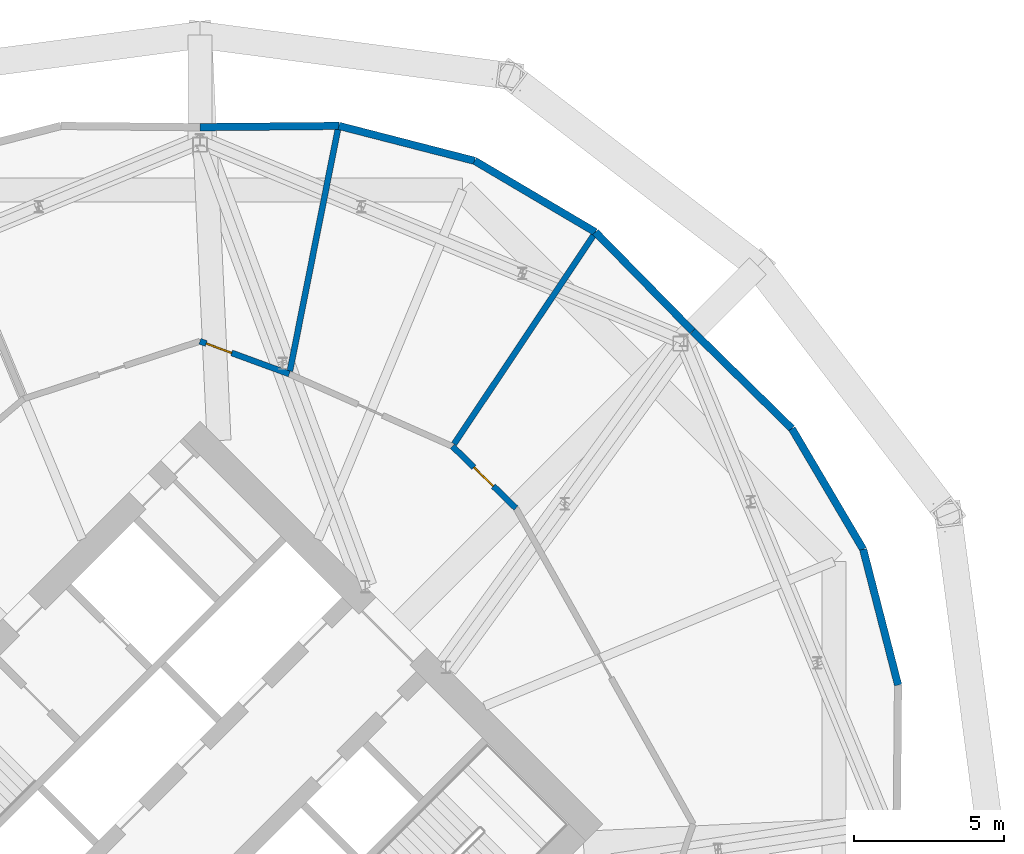
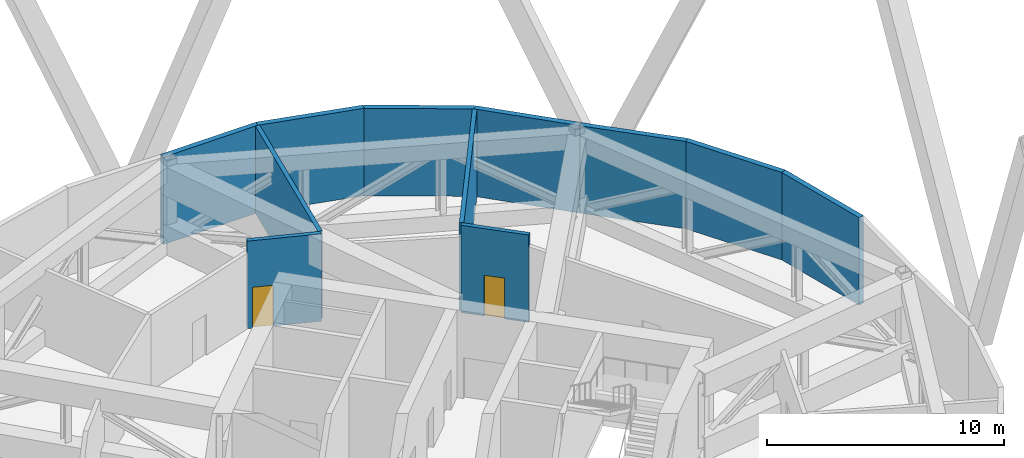
# One storey, part 19 of 21: 11 walls, 2 doors, 2 openings.
"""IFC4 building model written with IfcOpenShell, lengths in metres."""

import ifcopenshell
import ifcopenshell.guid

model = None  # the IFC model being written
_history = None  # IfcOwnerHistory: only IFC2X3 demands one
_inside = {}  # id of a spatial element -> (the spatial element, [elements in it])
_under = {}  # id of a project, library or spatial element -> (it, [spatial elements below it])
_declared = {}  # id of a project -> (the project, [libraries it declares])
_typed = {}  # id of a type object -> (the type object, [elements of that type])
_made_of = {}  # id of a material, layer set ... -> (it, [elements and type objects made of it])


def new_model(schema):
    """Start an empty IFC model of exactly this schema.

    Asked for "IFC4X3", IfcOpenShell would pick the latest addendum, in which some entities
    have other attributes; the version numbers below select the first issue.
    IFC2X3 requires an IfcOwnerHistory on every rooted entity: one is made here for all.
    """
    global model, _history
    if schema == "IFC4X3":
        model = ifcopenshell.file(schema_version=(4, 3, 0, 0))
    else:
        model = ifcopenshell.file(schema=schema)
    _inside.clear()
    _under.clear()
    _declared.clear()
    _typed.clear()
    _made_of.clear()
    _history = None
    if model.schema == "IFC2X3":
        org = make("IfcOrganization", Name="unknown")
        user = make(
            "IfcPersonAndOrganization",
            ThePerson=make("IfcPerson", FamilyName="unknown"),
            TheOrganization=org,
        )
        app = make(
            "IfcApplication",
            ApplicationDeveloper=org,
            Version="unknown",
            ApplicationFullName="unknown",
            ApplicationIdentifier="unknown",
        )
        _history = make(
            "IfcOwnerHistory",
            OwningUser=user,
            OwningApplication=app,
            ChangeAction="ADDED",
            CreationDate=0,
        )
    return model


def make(cls, **values):
    """One entity of the class cls with the attributes given. An attribute that is None is left unset."""
    return model.create_entity(
        cls, **{name: value for name, value in values.items() if value is not None}
    )


def rooted(cls, **values):
    """An entity with a GlobalId (a new one), such as an element, a storey or a relation."""
    return make(cls, GlobalId=ifcopenshell.guid.new(), OwnerHistory=_history, **values)


def si_unit(unit_type, name, prefix=None):
    """IfcSIUnit, for example si_unit("LENGTHUNIT", "METRE", prefix="MILLI")."""
    return make("IfcSIUnit", UnitType=unit_type, Prefix=prefix, Name=name)


def assignment(units):
    """IfcUnitAssignment: the units of a project."""
    return None if units is None else make("IfcUnitAssignment", Units=units)


def point(xyz):
    """IfcCartesianPoint."""
    return None if xyz is None else make("IfcCartesianPoint", Coordinates=xyz)


def direction(xyz):
    """IfcDirection."""
    return None if xyz is None else make("IfcDirection", DirectionRatios=xyz)


def frame(location, z_axis=None, x_axis=None):
    """IfcAxis2Placement3D, a coordinate frame: its origin and axes. An axis left out is left unset."""
    return make(
        "IfcAxis2Placement3D",
        Location=point(location),
        Axis=direction(z_axis),
        RefDirection=direction(x_axis),
    )


def frame_2d(location, x_axis=None):
    """IfcAxis2Placement2D, a coordinate frame in the plane: its origin and x axis."""
    return make(
        "IfcAxis2Placement2D", Location=point(location), RefDirection=direction(x_axis)
    )


def origin():
    """The frame at (0, 0, 0) with its axes left unset."""
    return frame((0.0, 0.0, 0.0))


def place(relative_to, where):
    """IfcLocalPlacement: puts the frame where relative to a parent placement (None: the world)."""
    return make(
        "IfcLocalPlacement", PlacementRelTo=relative_to, RelativePlacement=where
    )


def context(
    kind, dimensions, precision=None, world=None, true_north=None, identifier=None
):
    """IfcGeometricRepresentationContext, for example the 3D "Model" context."""
    return make(
        "IfcGeometricRepresentationContext",
        ContextIdentifier=identifier,
        ContextType=kind,
        CoordinateSpaceDimension=dimensions,
        Precision=precision,
        WorldCoordinateSystem=world,
        TrueNorth=true_north,
    )


def subcontext(parent, identifier, kind, view, scale=None):
    """IfcGeometricRepresentationSubContext, for example "Body" below "Model"."""
    return make(
        "IfcGeometricRepresentationSubContext",
        ContextIdentifier=identifier,
        ContextType=kind,
        ParentContext=parent,
        TargetScale=scale,
        TargetView=view,
    )


def project(units=None, contexts=None):
    """IfcProject with its units and contexts."""
    return rooted(
        "IfcProject",
        Name="project",
        RepresentationContexts=contexts,
        UnitsInContext=assignment(units),
    )


def spatial(cls, under=None, at=None, **own):
    """A site, building, storey or space (cls), placed at a placement, below another one or the project."""
    s = rooted(cls, ObjectPlacement=at, **own)
    if under is not None:
        _under.setdefault(under.id(), (under, []))[1].append(s)
    return s


def profile(cls, at=None, kind="AREA", **sizes):
    """A parametric profile (cls). Its sizes go by their IFC names, for example OverallWidth=200.0."""
    return make(cls, ProfileType=kind, Position=at, **sizes)


def rectangle(**sizes):
    """IfcRectangleProfileDef."""
    return profile("IfcRectangleProfileDef", **sizes)


def extrude(swept, where, along, depth):
    """IfcExtrudedAreaSolid: the profile swept, set in the frame where, extruded along a direction by depth."""
    return make(
        "IfcExtrudedAreaSolid",
        SweptArea=swept,
        Position=where,
        ExtrudedDirection=direction(along),
        Depth=depth,
    )


def shape(context_of_items, identifier, shape_type, items):
    """IfcShapeRepresentation: the items that make up one representation, for example the "Body"."""
    return make(
        "IfcShapeRepresentation",
        ContextOfItems=context_of_items,
        RepresentationIdentifier=identifier,
        RepresentationType=shape_type,
        Items=items,
    )


def material(Name=None, Category=None):
    """IfcMaterial."""
    return make("IfcMaterial", Name=Name, Category=Category)


def layer(
    of_material, thickness, ventilated=None, Name=None, Category=None, Priority=None
):
    """IfcMaterialLayer: one layer of a wall or slab, of a material (None: an air gap)."""
    return make(
        "IfcMaterialLayer",
        Material=of_material,
        LayerThickness=thickness,
        IsVentilated=ventilated,
        Name=Name,
        Category=Category,
        Priority=Priority,
    )


def layer_set(layers, Name=None):
    """IfcMaterialLayerSet."""
    return make("IfcMaterialLayerSet", MaterialLayers=layers, LayerSetName=Name)


def made_of(thing, what):
    """Note that an element or type object is made of a material, layer set ...; save() writes the relation."""
    if what is not None:
        _made_of.setdefault(what.id(), (what, []))[1].append(thing)
    return thing


def type_object(cls, material=None, **own):
    """A type object (cls), such as IfcWallType, which elements share."""
    return made_of(rooted(cls, **own), material)


def element(
    cls,
    number,
    at=None,
    inside=None,
    cuts=None,
    type_object=None,
    material=None,
    context=None,
    identifier="Body",
    shape_type=None,
    held_by="IfcProductDefinitionShape",
    body=None,
    shapes=None,
    **own,
):
    """One element of the class cls, such as IfcWall. Its Tag is "e" and its number.

    at: its placement. inside: the storey or other place that contains it. cuts: it is an
    opening in that element (IfcRelVoidsElement). A single representation is given by context,
    identifier, shape_type and body (its items); several are given by shapes. held_by: the class
    of the entity that holds the representations. save() writes the other relations.
    """
    e = rooted(cls, Tag="e%d" % number, ObjectPlacement=at, **own)
    if body is not None:
        shapes = [shape(context, identifier, shape_type, body)]
    if shapes is not None:
        e.Representation = make(held_by, Representations=shapes)
    if inside is not None:
        _inside.setdefault(inside.id(), (inside, []))[1].append(e)
    if cuts is not None:
        rooted(
            "IfcRelVoidsElement", RelatingBuildingElement=cuts, RelatedOpeningElement=e
        )
    if type_object is not None:
        _typed.setdefault(type_object.id(), (type_object, []))[1].append(e)
    return made_of(e, material)


def fill(opening, filler):
    """IfcRelFillsElement: the door or window that sits in an opening."""
    return rooted(
        "IfcRelFillsElement",
        RelatingOpeningElement=opening,
        RelatedBuildingElement=filler,
    )


def aggregate(whole, parts):
    """IfcRelAggregates: a whole, such as a stair, and the parts it consists of."""
    return rooted("IfcRelAggregates", RelatingObject=whole, RelatedObjects=parts)


def save(model, path):
    """Write the relations noted so far, then the file.

    IfcRelAggregates (storeys below a building ...), IfcRelContainedInSpatialStructure (elements
    in a storey), IfcRelDefinesByType, IfcRelAssociatesMaterial and IfcRelDeclares: one each for
    every whole, place, type object, material and project.
    """
    for whole, parts in _under.values():
        aggregate(whole, parts)
    for where, things in _inside.values():
        rooted(
            "IfcRelContainedInSpatialStructure",
            RelatedElements=things,
            RelatingStructure=where,
        )
    for kind, things in _typed.values():
        rooted("IfcRelDefinesByType", RelatedObjects=things, RelatingType=kind)
    for what, things in _made_of.values():
        rooted("IfcRelAssociatesMaterial", RelatedObjects=things, RelatingMaterial=what)
    for by, libraries in _declared.values():
        rooted("IfcRelDeclares", RelatingContext=by, RelatedDefinitions=libraries)
    model.write(path)


model = new_model("IFC4")

# Units and contexts
model_context = context("Model", 3, precision=1e-05, world=origin(), true_north=direction((0.0, 1.0)))
body_context = subcontext(model_context, "Body", "Model", "MODEL_VIEW")
ifc_project = project(units=[si_unit("LENGTHUNIT", "METRE"), si_unit("AREAUNIT", "SQUARE_METRE"), si_unit("VOLUMEUNIT", "CUBIC_METRE"), si_unit("PLANEANGLEUNIT", "RADIAN"), si_unit("MASSUNIT", "GRAM", prefix="KILO")], contexts=[model_context])

# Site, building, storey
site_placement = place(None, origin())
site = spatial("IfcSite", under=ifc_project, at=site_placement, CompositionType="ELEMENT")
building_placement = place(site_placement, origin())
building = spatial("IfcBuilding", under=site, at=building_placement, Name="Ogive Gate Towers", CompositionType="ELEMENT")
storey_placement = place(building_placement, frame((0.0, 0.0, 71.39990234375)))
storey = spatial("IfcBuildingStorey", under=building, at=storey_placement, Name="L16", CompositionType="ELEMENT", Elevation=71.39990234375)

# Walls
ifc_material_1 = material(Name="Fire-rated block compartment wall")
ifc_layer_1 = layer(ifc_material_1, 0.199951171875)
ifc_layer_set_1 = layer_set([ifc_layer_1], Name="Compartment wall 200")
wall_type_1 = type_object("IfcWallType", Name="Compartment wall 200", PredefinedType="PARTITIONING", material=ifc_layer_set_1)
wall_1_placement = place(storey_placement, frame((49.217529296875, 19.767822265625, 0.0), z_axis=(0.0, 0.0, 1.0), x_axis=(-0.555830590287, -0.831295588164, 0.0)))
element("IfcWall", 1, at=wall_1_placement, inside=storey, type_object=wall_type_1, Name="Partition T2-L16-001", PredefinedType="PARTITIONING", context=body_context, shape_type="SweptSolid", body=[
    extrude(rectangle(XDim=8.51904296875, YDim=0.199951171875, at=frame_2d((4.259521484375, 0.0))), origin(), (0.0, 0.0, 1.0), 4.5),
])
wall_2_placement = place(storey_placement, frame((40.6318359375, 23.32421875, 0.0), z_axis=(0.0, 0.0, 1.0), x_axis=(-0.194780777904, -0.980846801778, 0.0)))
element("IfcWall", 2, at=wall_2_placement, inside=storey, type_object=wall_type_1, Name="Partition T2-L16-002", PredefinedType="PARTITIONING", context=body_context, shape_type="SweptSolid", body=[
    extrude(rectangle(XDim=8.369140625, YDim=0.199951171875, at=frame_2d((4.1845703125, 0.0))), origin(), (0.0, 0.0, 1.0), 4.5),
])

# Wall, opening, door
wall_3_placement = place(storey_placement, frame((38.982177734375, 15.017333984375, 0.0), z_axis=(0.0, 0.0, 1.0), x_axis=(-0.938946689884, 0.344062659347, 0.0)))
wall_3 = element("IfcWall", 3, at=wall_3_placement, inside=storey, type_object=wall_type_1, Name="Partition T2-L16-009", PredefinedType="PARTITIONING", context=body_context, shape_type="SweptSolid", body=[
    extrude(rectangle(XDim=3.176025390625, YDim=0.199951171875, at=frame_2d((1.587890625, 0.0))), origin(), (0.0, 0.0, 1.0), 4.5),
])
opening_1_placement = place(wall_3_placement, frame((2.050048828125, 0.0, 0.0)))
opening_1 = element("IfcOpeningElement", 4, at=opening_1_placement, cuts=wall_3, Name="Opening T2-L16-D02", PredefinedType="OPENING", context=body_context, shape_type="SweptSolid", body=[
    extrude(rectangle(XDim=0.89990234375, YDim=2.10009765625, at=frame_2d((0.449951171875, 1.050048828125))), frame((0.0, 0.10986328125, 0.0), z_axis=(0.0, -1.0, 0.0), x_axis=(1.0, 0.0, 0.0)), (0.0, 0.0, 1.0), 0.219970703125),
])
ifc_material_2 = material(Name="Steel fire door", Category="steel")
door_type = type_object("IfcDoorType", Name="Fire door 900 FD30S", OperationType="NOTDEFINED", PredefinedType="DOOR", material=ifc_material_2)
door_1_placement = place(opening_1_placement, origin())
door_1 = element("IfcDoor", 5, at=door_1_placement, inside=storey, type_object=door_type, Name="Door T2-L16-D02", OperationType="SINGLE_SWING_LEFT", OverallHeight=2.10009765625, OverallWidth=0.89990234375, PredefinedType="DOOR", context=body_context, shape_type="SweptSolid", body=[
    extrude(rectangle(XDim=0.89990234375, YDim=2.10009765625, at=frame_2d((0.449951171875, 1.050048828125))), frame((0.0, 0.02490234375, 0.0), z_axis=(0.0, -1.0, 0.0), x_axis=(1.0, 0.0, 0.0)), (0.0, 0.0, 1.0), 0.050048828125),
])
fill(opening_1, door_1)

wall_4_placement = place(storey_placement, frame((46.54296875, 10.54296875, 0.0), z_axis=(0.0, 0.0, 1.0), x_axis=(-0.716590790191, 0.697493827509, 0.0)))
wall_4 = element("IfcWall", 6, at=wall_4_placement, inside=storey, type_object=wall_type_1, Name="Partition T2-L16-022", PredefinedType="PARTITIONING", context=body_context, shape_type="SweptSolid", body=[
    extrude(rectangle(XDim=2.953125, YDim=0.199951171875, at=frame_2d((1.4765625, 0.0))), origin(), (0.0, 0.0, 1.0), 4.5),
])
opening_2_placement = place(wall_4_placement, frame((1.050048828125, 0.0, 0.0)))
opening_2 = element("IfcOpeningElement", 7, at=opening_2_placement, cuts=wall_4, Name="Opening T2-L16-D15", PredefinedType="OPENING", context=body_context, shape_type="SweptSolid", body=[
    extrude(rectangle(XDim=0.89990234375, YDim=2.10009765625, at=frame_2d((0.449951171875, 1.050048828125))), frame((0.0, 0.10986328125, 0.0), z_axis=(0.0, -1.0, 0.0), x_axis=(1.0, 0.0, 0.0)), (0.0, 0.0, 1.0), 0.219970703125),
])
door_2_placement = place(opening_2_placement, origin())
door_2 = element("IfcDoor", 8, at=door_2_placement, inside=storey, type_object=door_type, Name="Door T2-L16-D15", OperationType="SINGLE_SWING_LEFT", OverallHeight=2.10009765625, OverallWidth=0.89990234375, PredefinedType="DOOR", context=body_context, shape_type="SweptSolid", body=[
    extrude(rectangle(XDim=0.89990234375, YDim=2.10009765625, at=frame_2d((0.449951171875, 1.050048828125))), frame((0.0, 0.02490234375, 0.0), z_axis=(0.0, -1.0, 0.0), x_axis=(1.0, 0.0, 0.0)), (0.0, 0.0, 1.0), 0.050048828125),
])
fill(opening_2, door_2)

# Walls
ifc_material_3 = material(Name="Pale metal aluminium louvre", Category="aluminium")
ifc_layer_2 = layer(ifc_material_3, 0.25)
ifc_layer_set_2 = layer_set([ifc_layer_2], Name="Plant louvre wall")
wall_type_2 = type_object("IfcWallType", Name="Plant louvre wall", PredefinedType="SOLIDWALL", material=ifc_layer_set_2)
wall_5_placement = place(storey_placement, frame((59.298095703125, 4.63623046875, 0.0), z_axis=(0.0, 0.0, 1.0), x_axis=(-0.249380850957, 0.968405489026, 0.0)))
element("IfcWall", 9, at=wall_5_placement, inside=storey, type_object=wall_type_2, Name="Plant louvre wall", PredefinedType="SOLIDWALL", context=body_context, shape_type="SweptSolid", body=[
    extrude(rectangle(XDim=4.678466796875, YDim=0.25, at=frame_2d((2.33935546875, 0.0))), origin(), (0.0, 0.0, 1.0), 4.5),
])
wall_6_placement = place(storey_placement, frame((58.13134765625, 9.1669921875, 0.0), z_axis=(0.0, 0.0, 1.0), x_axis=(-0.508451519792, 0.861090617776, 0.0)))
element("IfcWall", 10, at=wall_6_placement, inside=storey, type_object=wall_type_2, Name="Plant louvre wall", PredefinedType="SOLIDWALL", context=body_context, shape_type="SweptSolid", body=[
    extrude(rectangle(XDim=4.6787109375, YDim=0.25, at=frame_2d((2.33935546875, 0.0))), origin(), (0.0, 0.0, 1.0), 4.5),
])
for number, where, z_axis, x_axis, name in (
    (11, (55.75244140625, 13.19580078125, 0.0), (0.0, 0.0, 1.0), (-0.713606087495, 0.700547180345, 0.0), "Plant louvre wall"),
    (12, (52.44384765625, 16.44384765625, 0.0), (0.0, 0.0, 1.0), (-0.700547180345, 0.713606087495, 0.0), "Plant louvre wall"),
):
    element("IfcWall", number, at=place(storey_placement, frame(where, z_axis=z_axis, x_axis=x_axis)), inside=storey, type_object=wall_type_2, Name=name, PredefinedType="SOLIDWALL", context=body_context, shape_type="SweptSolid", body=[
        extrude(rectangle(XDim=4.636474609375, YDim=0.25, at=frame_2d((2.318359375, 0.0))), origin(), (0.0, 0.0, 1.0), 4.5),
    ])
wall_7_placement = place(storey_placement, frame((49.19580078125, 19.75244140625, 0.0), z_axis=(0.0, 0.0, 1.0), x_axis=(-0.861090617776, 0.508451519792, 0.0)))
element("IfcWall", 13, at=wall_7_placement, inside=storey, type_object=wall_type_2, Name="Plant louvre wall", PredefinedType="SOLIDWALL", context=body_context, shape_type="SweptSolid", body=[
    extrude(rectangle(XDim=4.6787109375, YDim=0.25, at=frame_2d((2.33935546875, 0.0))), origin(), (0.0, 0.0, 1.0), 4.5),
])
wall_8_placement = place(storey_placement, frame((45.1669921875, 22.13134765625, 0.0), z_axis=(0.0, 0.0, 1.0), x_axis=(-0.968405489026, 0.249380850957, 0.0)))
element("IfcWall", 14, at=wall_8_placement, inside=storey, type_object=wall_type_2, Name="Plant louvre wall", PredefinedType="SOLIDWALL", context=body_context, shape_type="SweptSolid", body=[
    extrude(rectangle(XDim=4.678466796875, YDim=0.25, at=frame_2d((2.33935546875, 0.0))), origin(), (0.0, 0.0, 1.0), 4.5),
])
wall_9_placement = place(storey_placement, frame((40.63623046875, 23.298095703125, 0.0), z_axis=(0.0, 0.0, 1.0), x_axis=(-0.999956565151, -0.00932029026, 0.0)))
element("IfcWall", 15, at=wall_9_placement, inside=storey, type_object=wall_type_2, Name="Plant louvre wall", PredefinedType="SOLIDWALL", context=body_context, shape_type="SweptSolid", body=[
    extrude(rectangle(XDim=4.636474609375, YDim=0.25, at=frame_2d((2.318359375, 0.0))), origin(), (0.0, 0.0, 1.0), 4.5),
])

save(model, "model.ifc")
